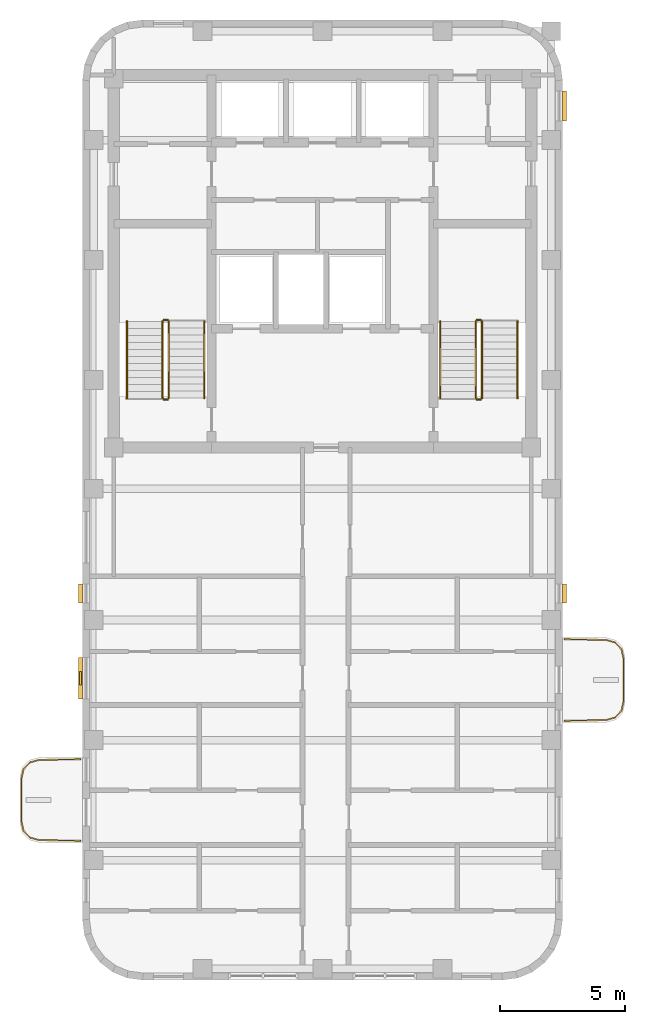
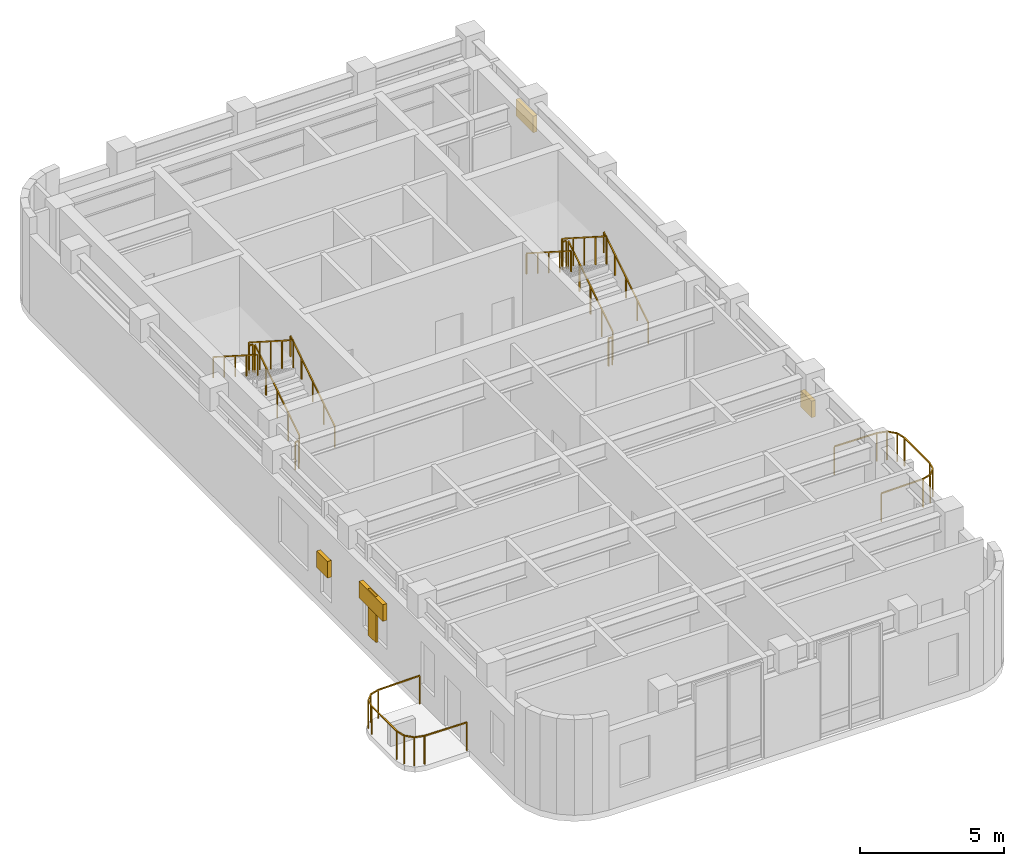
# One storey, part 6 of 6: 14 railings, 5 shading devices.
"""IFC4 building model written with IfcOpenShell, lengths in metres."""

from ifc_helpers import new_model, si_unit, direction, frame, origin, origin_2d, place, context, subcontext, project, spatial, rectangle, extrude, material, type_object, element, save


model = new_model("IFC4")

# Units and contexts
model_context = context("Model", 3, precision=1e-05, world=origin(), true_north=direction((0.0, 1.0)))
body_context = subcontext(model_context, "Body", "Model", "MODEL_VIEW")
ifc_project = project(units=[si_unit("LENGTHUNIT", "METRE"), si_unit("AREAUNIT", "SQUARE_METRE"), si_unit("VOLUMEUNIT", "CUBIC_METRE"), si_unit("PLANEANGLEUNIT", "RADIAN"), si_unit("MASSUNIT", "GRAM", prefix="KILO")], contexts=[model_context])

# Site, building, storey
site_placement = place(None, origin())
site = spatial("IfcSite", under=ifc_project, at=site_placement, CompositionType="ELEMENT")
building_placement = place(site_placement, origin())
building = spatial("IfcBuilding", under=site, at=building_placement, Name="Orvandelia Arch Residences", CompositionType="ELEMENT")
storey_placement = place(building_placement, frame((0.0, 0.0, 252.699951171875)))
storey = spatial("IfcBuildingStorey", under=building, at=storey_placement, Name="L66", CompositionType="ELEMENT", Elevation=252.699951171875)

# Railings
ifc_material_1 = material(Name="Marine-Grade Stainless Steel 316", Category="steel")
railing_type_1 = type_object("IfcRailingType", Name="GRD-BAL-1200", PredefinedType="BALUSTRADE", material=ifc_material_1)
railing_1_placement = place(storey_placement, frame((4.728271484375, 18.430419921875, 0.0)))
element("IfcRailing", 1, at=railing_1_placement, inside=storey, type_object=railing_type_1, Name="Safety Balustrade Guard GRD-L66-BAL-L66-W1-1", PredefinedType="BALUSTRADE", context=body_context, shape_type="SweptSolid", body=[
    extrude(rectangle(XDim=0.048095703125, YDim=0.048095703125, at=origin_2d()), frame((0.0, 0.0, 1.19580078125), z_axis=(-0.999834751713, -0.018178813668, 0.0), x_axis=(0.018178813668, -0.999834751713, 0.0)), (0.0, 0.0, 1.0), 1.6787109375),
    extrude(rectangle(XDim=0.048095703125, YDim=0.048095703125, at=origin_2d()), frame((-1.678466796875, -0.030517578125, 1.19580078125), z_axis=(-0.96348920644, -0.267747173792, 0.0), x_axis=(0.267747173792, -0.96348920644, 0.0)), (0.0, 0.0, 1.0), 0.36572265625),
    extrude(rectangle(XDim=0.048095703125, YDim=0.048095703125, at=origin_2d()), frame((-2.03076171875, -0.12841796875, 1.19580078125), z_axis=(-0.688627404251, -0.725115368831, 0.0), x_axis=(0.725115368831, -0.688627404251, 0.0)), (0.0, 0.0, 1.0), 0.367919921875),
    extrude(rectangle(XDim=0.048095703125, YDim=0.048095703125, at=origin_2d()), frame((-2.2841796875, -0.395263671875, 1.19580078125), z_axis=(-0.220602419982, -0.975363815352, 0.0), x_axis=(0.975363815352, -0.220602419982, 0.0)), (0.0, 0.0, 1.0), 0.373046875),
    extrude(rectangle(XDim=0.048095703125, YDim=0.048095703125, at=origin_2d()), frame((-2.366455078125, -0.759033203125, 1.19580078125), z_axis=(0.0, -1.0, 0.0), x_axis=(1.0, 0.0, 0.0)), (0.0, 0.0, 1.0), 1.74267578125),
    extrude(rectangle(XDim=0.048095703125, YDim=0.048095703125, at=origin_2d()), frame((-2.366455078125, -2.501708984375, 1.19580078125), z_axis=(0.220602419982, -0.975363815352, 0.0), x_axis=(0.975363815352, 0.220602419982, 0.0)), (0.0, 0.0, 1.0), 0.373046875),
    extrude(rectangle(XDim=0.048095703125, YDim=0.048095703125, at=origin_2d()), frame((-2.2841796875, -2.865478515625, 1.19580078125), z_axis=(0.688296224633, -0.725429739642, 0.0), x_axis=(0.725429739642, 0.688296224633, 0.0)), (0.0, 0.0, 1.0), 0.3681640625),
    extrude(rectangle(XDim=0.048095703125, YDim=0.048095703125, at=origin_2d()), frame((-2.03076171875, -3.132568359375, 1.19580078125), z_axis=(0.96348920644, -0.267747173792, 0.0), x_axis=(0.267747173792, 0.96348920644, 0.0)), (0.0, 0.0, 1.0), 0.36572265625),
    extrude(rectangle(XDim=0.048095703125, YDim=0.048095703125, at=origin_2d()), frame((-1.678466796875, -3.23046875, 1.19580078125), z_axis=(0.999837384468, -0.018033430643, 0.0), x_axis=(0.018033430643, 0.999837384468, 0.0)), (0.0, 0.0, 1.0), 1.6787109375),
    extrude(rectangle(XDim=0.0419921875, YDim=0.0419921875, at=origin_2d()), origin(), (0.0, 0.0, 1.0), 1.171875),
    extrude(rectangle(XDim=0.0419921875, YDim=0.0419921875, at=origin_2d()), frame((-1.678466796875, -0.030517578125, 0.0)), (0.0, 0.0, 1.0), 1.171875),
    extrude(rectangle(XDim=0.0419921875, YDim=0.0419921875, at=origin_2d()), frame((-2.03076171875, -0.12841796875, 0.0)), (0.0, 0.0, 1.0), 1.171875),
    extrude(rectangle(XDim=0.0419921875, YDim=0.0419921875, at=origin_2d()), frame((-2.2841796875, -0.395263671875, 0.0)), (0.0, 0.0, 1.0), 1.171875),
    extrude(rectangle(XDim=0.0419921875, YDim=0.0419921875, at=origin_2d()), frame((-2.366455078125, -0.759033203125, 0.0)), (0.0, 0.0, 1.0), 1.171875),
    extrude(rectangle(XDim=0.0419921875, YDim=0.0419921875, at=origin_2d()), frame((-2.366455078125, -2.501708984375, 0.0)), (0.0, 0.0, 1.0), 1.171875),
    extrude(rectangle(XDim=0.0419921875, YDim=0.0419921875, at=origin_2d()), frame((-2.2841796875, -2.865478515625, 0.0)), (0.0, 0.0, 1.0), 1.171875),
    extrude(rectangle(XDim=0.0419921875, YDim=0.0419921875, at=origin_2d()), frame((-2.03076171875, -3.132568359375, 0.0)), (0.0, 0.0, 1.0), 1.171875),
    extrude(rectangle(XDim=0.0419921875, YDim=0.0419921875, at=origin_2d()), frame((-1.678466796875, -3.23046875, 0.0)), (0.0, 0.0, 1.0), 1.171875),
    extrude(rectangle(XDim=0.0419921875, YDim=0.0419921875, at=origin_2d()), frame((0.0, -3.2607421875, 0.0)), (0.0, 0.0, 1.0), 1.171875),
])
railing_2_placement = place(storey_placement, frame((24.07177734375, 19.969482421875, 0.0)))
element("IfcRailing", 2, at=railing_2_placement, inside=storey, type_object=railing_type_1, Name="Safety Balustrade Guard GRD-L66-BAL-L66-W2-1", PredefinedType="BALUSTRADE", context=body_context, shape_type="SweptSolid", body=[
    extrude(rectangle(XDim=0.048095703125, YDim=0.048095703125, at=origin_2d()), frame((0.0, 0.0, 1.19580078125), z_axis=(0.999834751713, 0.018178813668, 0.0), x_axis=(-0.018178813668, 0.999834751713, 0.0)), (0.0, 0.0, 1.0), 1.6787109375),
    extrude(rectangle(XDim=0.048095703125, YDim=0.048095703125, at=origin_2d()), frame((1.678466796875, 0.030517578125, 1.19580078125), z_axis=(0.96348920644, 0.267747173792, 0.0), x_axis=(-0.267747173792, 0.96348920644, 0.0)), (0.0, 0.0, 1.0), 0.36572265625),
    extrude(rectangle(XDim=0.048095703125, YDim=0.048095703125, at=origin_2d()), frame((2.03076171875, 0.12841796875, 1.19580078125), z_axis=(0.687947031175, 0.725760898848, 0.0), x_axis=(-0.725760898848, 0.687947031175, 0.0)), (0.0, 0.0, 1.0), 0.367919921875),
    extrude(rectangle(XDim=0.048095703125, YDim=0.048095703125, at=origin_2d()), frame((2.283935546875, 0.3955078125, 1.19580078125), z_axis=(0.221225034864, 0.975222786828, 0.0), x_axis=(-0.975222786828, 0.221225034864, 0.0)), (0.0, 0.0, 1.0), 0.373046875),
    extrude(rectangle(XDim=0.048095703125, YDim=0.048095703125, at=origin_2d()), frame((2.366455078125, 0.75927734375, 1.19580078125), z_axis=(0.0, 1.0, 0.0), x_axis=(-1.0, 0.0, 0.0)), (0.0, 0.0, 1.0), 1.742431640625),
    extrude(rectangle(XDim=0.048095703125, YDim=0.048095703125, at=origin_2d()), frame((2.366455078125, 2.501708984375, 1.19580078125), z_axis=(-0.2210839158, 0.975254788337, 0.0), x_axis=(-0.975254788337, -0.2210839158, 0.0)), (0.0, 0.0, 1.0), 0.373291015625),
    extrude(rectangle(XDim=0.048095703125, YDim=0.048095703125, at=origin_2d()), frame((2.283935546875, 2.86572265625, 1.19580078125), z_axis=(-0.688278345278, 0.725446703364, 0.0), x_axis=(-0.725446703364, -0.688278345278, 0.0)), (0.0, 0.0, 1.0), 0.367919921875),
    extrude(rectangle(XDim=0.048095703125, YDim=0.048095703125, at=origin_2d()), frame((2.03076171875, 3.132568359375, 1.19580078125), z_axis=(-0.96348920644, 0.267747173792, 0.0), x_axis=(-0.267747173792, -0.96348920644, 0.0)), (0.0, 0.0, 1.0), 0.36572265625),
    extrude(rectangle(XDim=0.048095703125, YDim=0.048095703125, at=origin_2d()), frame((1.678466796875, 3.23046875, 1.19580078125), z_axis=(-0.999834751713, 0.018178813668, 0.0), x_axis=(-0.018178813668, -0.999834751713, 0.0)), (0.0, 0.0, 1.0), 1.6787109375),
    extrude(rectangle(XDim=0.0419921875, YDim=0.0419921875, at=origin_2d()), origin(), (0.0, 0.0, 1.0), 1.171875),
    extrude(rectangle(XDim=0.0419921875, YDim=0.0419921875, at=origin_2d()), frame((1.678466796875, 0.030517578125, 0.0)), (0.0, 0.0, 1.0), 1.171875),
    extrude(rectangle(XDim=0.0419921875, YDim=0.0419921875, at=origin_2d()), frame((2.03076171875, 0.12841796875, 0.0)), (0.0, 0.0, 1.0), 1.171875),
    extrude(rectangle(XDim=0.0419921875, YDim=0.0419921875, at=origin_2d()), frame((2.283935546875, 0.3955078125, 0.0)), (0.0, 0.0, 1.0), 1.171875),
    extrude(rectangle(XDim=0.0419921875, YDim=0.0419921875, at=origin_2d()), frame((2.366455078125, 0.75927734375, 0.0)), (0.0, 0.0, 1.0), 1.171875),
    extrude(rectangle(XDim=0.0419921875, YDim=0.0419921875, at=origin_2d()), frame((2.366455078125, 2.501708984375, 0.0)), (0.0, 0.0, 1.0), 1.171875),
    extrude(rectangle(XDim=0.0419921875, YDim=0.0419921875, at=origin_2d()), frame((2.283935546875, 2.86572265625, 0.0)), (0.0, 0.0, 1.0), 1.171875),
    extrude(rectangle(XDim=0.0419921875, YDim=0.0419921875, at=origin_2d()), frame((2.03076171875, 3.132568359375, 0.0)), (0.0, 0.0, 1.0), 1.171875),
    extrude(rectangle(XDim=0.0419921875, YDim=0.0419921875, at=origin_2d()), frame((1.678466796875, 3.23046875, 0.0)), (0.0, 0.0, 1.0), 1.171875),
    extrude(rectangle(XDim=0.0419921875, YDim=0.0419921875, at=origin_2d()), frame((0.0, 3.260986328125, 0.0)), (0.0, 0.0, 1.0), 1.171875),
])
ifc_material_2 = material(Name="Brushed Stainless Steel 304", Category="steel")
railing_type_2 = type_object("IfcRailingType", Name="RL-STAIR-GD1120", PredefinedType="GUARDRAIL", material=ifc_material_2)
railing_3_placement = place(storey_placement, frame((8.25, 32.8701171875, 0.17919921875)))
element("IfcRailing", 3, at=railing_3_placement, inside=storey, type_object=railing_type_2, Name="L66 ST-1 stair guard 1", PredefinedType="GUARDRAIL", context=body_context, shape_type="SweptSolid", body=[
    extrude(rectangle(XDim=0.048095703125, YDim=0.048095703125, at=origin_2d()), frame((0.0, 0.0, 1.17578125), z_axis=(0.0, 0.842289589211, 0.539025275759), x_axis=(-1.0, 0.0, 0.0)), (0.0, 0.0, 1.0), 3.656494140625),
    extrude(rectangle(XDim=0.0419921875, YDim=0.0419921875, at=origin_2d()), origin(), (0.0, 0.0, 1.0), 1.15185546875),
    extrude(rectangle(XDim=0.0419921875, YDim=0.0419921875, at=origin_2d()), frame((0.0, 0.77001953125, 0.49267578125)), (0.0, 0.0, 1.0), 1.15185546875),
    extrude(rectangle(XDim=0.0419921875, YDim=0.0419921875, at=origin_2d()), frame((0.0, 1.5400390625, 0.9853515625)), (0.0, 0.0, 1.0), 1.15185546875),
    extrude(rectangle(XDim=0.0419921875, YDim=0.0419921875, at=origin_2d()), frame((0.0, 2.309814453125, 1.478271484375)), (0.0, 0.0, 1.0), 1.15185546875),
    extrude(rectangle(XDim=0.0419921875, YDim=0.0419921875, at=origin_2d()), frame((0.0, 3.079833984375, 1.970947265625)), (0.0, 0.0, 1.0), 1.15185546875),
])
railing_4_placement = place(storey_placement, frame((8.199951171875, 36.0, 2.150146484375)))
element("IfcRailing", 4, at=railing_4_placement, inside=storey, type_object=railing_type_2, Name="L66 ST-1 stair guard 2", PredefinedType="GUARDRAIL", context=body_context, shape_type="SweptSolid", body=[
    extrude(rectangle(XDim=0.048095703125, YDim=0.048095703125, at=origin_2d()), frame((0.0, 0.0, 1.17578125), z_axis=(-1.0, 0.0, 0.0), x_axis=(0.0, -1.0, 0.0)), (0.0, 0.0, 1.0), 0.14990234375),
    extrude(rectangle(XDim=0.0419921875, YDim=0.0419921875, at=origin_2d()), origin(), (0.0, 0.0, 1.0), 1.15185546875),
    extrude(rectangle(XDim=0.0419921875, YDim=0.0419921875, at=origin_2d()), frame((-0.14990234375, 0.0, 0.0)), (0.0, 0.0, 1.0), 1.15185546875),
])
railing_5_placement = place(storey_placement, frame((8.0, 35.949951171875, 2.3291015625)))
element("IfcRailing", 5, at=railing_5_placement, inside=storey, type_object=railing_type_2, Name="L66 ST-1 stair guard 3", PredefinedType="GUARDRAIL", context=body_context, shape_type="SweptSolid", body=[
    extrude(rectangle(XDim=0.048095703125, YDim=0.048095703125, at=origin_2d()), frame((0.0, 0.0, 1.17578125), z_axis=(0.0, -0.842289589211, 0.539025275759), x_axis=(1.0, 0.0, 0.0)), (0.0, 0.0, 1.0), 3.656494140625),
    extrude(rectangle(XDim=0.0419921875, YDim=0.0419921875, at=origin_2d()), origin(), (0.0, 0.0, 1.0), 1.15185546875),
    extrude(rectangle(XDim=0.0419921875, YDim=0.0419921875, at=origin_2d()), frame((0.0, -0.77001953125, 0.49267578125)), (0.0, 0.0, 1.0), 1.15185546875),
    extrude(rectangle(XDim=0.0419921875, YDim=0.0419921875, at=origin_2d()), frame((0.0, -1.5400390625, 0.9853515625)), (0.0, 0.0, 1.0), 1.15185546875),
    extrude(rectangle(XDim=0.0419921875, YDim=0.0419921875, at=origin_2d()), frame((0.0, -2.309814453125, 1.478271484375)), (0.0, 0.0, 1.0), 1.15185546875),
    extrude(rectangle(XDim=0.0419921875, YDim=0.0419921875, at=origin_2d()), frame((0.0, -3.079833984375, 1.970947265625)), (0.0, 0.0, 1.0), 1.15185546875),
])
railing_6_placement = place(storey_placement, frame((8.199951171875, 32.820068359375, 0.0)))
element("IfcRailing", 6, at=railing_6_placement, inside=storey, type_object=railing_type_2, Name="L66 ST-1 stair guard 4", PredefinedType="GUARDRAIL", context=body_context, shape_type="SweptSolid", body=[
    extrude(rectangle(XDim=0.048095703125, YDim=0.048095703125, at=origin_2d()), frame((0.0, 0.0, 1.17578125), z_axis=(-1.0, 0.0, 0.0), x_axis=(0.0, -1.0, 0.0)), (0.0, 0.0, 1.0), 0.14990234375),
    extrude(rectangle(XDim=0.0419921875, YDim=0.0419921875, at=origin_2d()), origin(), (0.0, 0.0, 1.0), 1.15185546875),
    extrude(rectangle(XDim=0.0419921875, YDim=0.0419921875, at=origin_2d()), frame((-0.14990234375, 0.0, 0.0)), (0.0, 0.0, 1.0), 1.15185546875),
])
railing_7_placement = place(storey_placement, frame((20.780029296875, 32.8701171875, 0.17919921875)))
element("IfcRailing", 7, at=railing_7_placement, inside=storey, type_object=railing_type_2, Name="L66 ST-2 stair guard 1", PredefinedType="GUARDRAIL", context=body_context, shape_type="SweptSolid", body=[
    extrude(rectangle(XDim=0.048095703125, YDim=0.048095703125, at=origin_2d()), frame((0.0, 0.0, 1.17578125), z_axis=(0.0, 0.842289589211, 0.539025275759), x_axis=(-1.0, 0.0, 0.0)), (0.0, 0.0, 1.0), 3.656494140625),
    extrude(rectangle(XDim=0.0419921875, YDim=0.0419921875, at=origin_2d()), origin(), (0.0, 0.0, 1.0), 1.15185546875),
    extrude(rectangle(XDim=0.0419921875, YDim=0.0419921875, at=origin_2d()), frame((0.0, 0.77001953125, 0.49267578125)), (0.0, 0.0, 1.0), 1.15185546875),
    extrude(rectangle(XDim=0.0419921875, YDim=0.0419921875, at=origin_2d()), frame((0.0, 1.5400390625, 0.9853515625)), (0.0, 0.0, 1.0), 1.15185546875),
    extrude(rectangle(XDim=0.0419921875, YDim=0.0419921875, at=origin_2d()), frame((0.0, 2.309814453125, 1.478271484375)), (0.0, 0.0, 1.0), 1.15185546875),
    extrude(rectangle(XDim=0.0419921875, YDim=0.0419921875, at=origin_2d()), frame((0.0, 3.079833984375, 1.970947265625)), (0.0, 0.0, 1.0), 1.15185546875),
])
railing_8_placement = place(storey_placement, frame((20.72998046875, 36.0, 2.150146484375)))
element("IfcRailing", 8, at=railing_8_placement, inside=storey, type_object=railing_type_2, Name="L66 ST-2 stair guard 2", PredefinedType="GUARDRAIL", context=body_context, shape_type="SweptSolid", body=[
    extrude(rectangle(XDim=0.048095703125, YDim=0.048095703125, at=origin_2d()), frame((0.0, 0.0, 1.17578125), z_axis=(-1.0, 0.0, 0.0), x_axis=(0.0, -1.0, 0.0)), (0.0, 0.0, 1.0), 0.14990234375),
    extrude(rectangle(XDim=0.0419921875, YDim=0.0419921875, at=origin_2d()), origin(), (0.0, 0.0, 1.0), 1.15185546875),
    extrude(rectangle(XDim=0.0419921875, YDim=0.0419921875, at=origin_2d()), frame((-0.14990234375, 0.0, 0.0)), (0.0, 0.0, 1.0), 1.15185546875),
])
railing_9_placement = place(storey_placement, frame((20.530029296875, 35.949951171875, 2.3291015625)))
element("IfcRailing", 9, at=railing_9_placement, inside=storey, type_object=railing_type_2, Name="L66 ST-2 stair guard 3", PredefinedType="GUARDRAIL", context=body_context, shape_type="SweptSolid", body=[
    extrude(rectangle(XDim=0.048095703125, YDim=0.048095703125, at=origin_2d()), frame((0.0, 0.0, 1.17578125), z_axis=(0.0, -0.842289589211, 0.539025275759), x_axis=(1.0, 0.0, 0.0)), (0.0, 0.0, 1.0), 3.656494140625),
    extrude(rectangle(XDim=0.0419921875, YDim=0.0419921875, at=origin_2d()), origin(), (0.0, 0.0, 1.0), 1.15185546875),
    extrude(rectangle(XDim=0.0419921875, YDim=0.0419921875, at=origin_2d()), frame((0.0, -0.77001953125, 0.49267578125)), (0.0, 0.0, 1.0), 1.15185546875),
    extrude(rectangle(XDim=0.0419921875, YDim=0.0419921875, at=origin_2d()), frame((0.0, -1.5400390625, 0.9853515625)), (0.0, 0.0, 1.0), 1.15185546875),
    extrude(rectangle(XDim=0.0419921875, YDim=0.0419921875, at=origin_2d()), frame((0.0, -2.309814453125, 1.478271484375)), (0.0, 0.0, 1.0), 1.15185546875),
    extrude(rectangle(XDim=0.0419921875, YDim=0.0419921875, at=origin_2d()), frame((0.0, -3.079833984375, 1.970947265625)), (0.0, 0.0, 1.0), 1.15185546875),
])
railing_10_placement = place(storey_placement, frame((20.72998046875, 32.820068359375, 0.0)))
element("IfcRailing", 10, at=railing_10_placement, inside=storey, type_object=railing_type_2, Name="L66 ST-2 stair guard 4", PredefinedType="GUARDRAIL", context=body_context, shape_type="SweptSolid", body=[
    extrude(rectangle(XDim=0.048095703125, YDim=0.048095703125, at=origin_2d()), frame((0.0, 0.0, 1.17578125), z_axis=(-1.0, 0.0, 0.0), x_axis=(0.0, -1.0, 0.0)), (0.0, 0.0, 1.0), 0.14990234375),
    extrude(rectangle(XDim=0.0419921875, YDim=0.0419921875, at=origin_2d()), origin(), (0.0, 0.0, 1.0), 1.15185546875),
    extrude(rectangle(XDim=0.0419921875, YDim=0.0419921875, at=origin_2d()), frame((-0.14990234375, 0.0, 0.0)), (0.0, 0.0, 1.0), 1.15185546875),
])
railing_type_3 = type_object("IfcRailingType", Name="RL-STAIR-HR920", PredefinedType="HANDRAIL", material=ifc_material_2)
railing_11_placement = place(storey_placement, frame((9.669921875, 32.8701171875, 0.3583984375)))
element("IfcRailing", 11, at=railing_11_placement, inside=storey, type_object=railing_type_3, Name="L66 ST-1 stair handrail 1", PredefinedType="HANDRAIL", context=body_context, shape_type="SweptSolid", body=[
    extrude(rectangle(XDim=0.048095703125, YDim=0.048095703125, at=origin_2d()), frame((0.0, 0.0, 0.8759765625), z_axis=(0.0, 0.842319903074, 0.538977903893), x_axis=(-1.0, 0.0, 0.0)), (0.0, 0.0, 1.0), 3.65625),
    extrude(rectangle(XDim=0.0419921875, YDim=0.0419921875, at=origin_2d()), origin(), (0.0, 0.0, 1.0), 0.851806640625),
    extrude(rectangle(XDim=0.0419921875, YDim=0.0419921875, at=origin_2d()), frame((0.0, 0.77001953125, 0.49267578125)), (0.0, 0.0, 1.0), 0.851806640625),
    extrude(rectangle(XDim=0.0419921875, YDim=0.0419921875, at=origin_2d()), frame((0.0, 1.5400390625, 0.9853515625)), (0.0, 0.0, 1.0), 0.851806640625),
    extrude(rectangle(XDim=0.0419921875, YDim=0.0419921875, at=origin_2d()), frame((0.0, 2.309814453125, 1.47802734375)), (0.0, 0.0, 1.0), 0.851806640625),
    extrude(rectangle(XDim=0.0419921875, YDim=0.0419921875, at=origin_2d()), frame((0.0, 3.079833984375, 1.970703125)), (0.0, 0.0, 1.0), 0.851806640625),
])
railing_12_placement = place(storey_placement, frame((6.580078125, 35.949951171875, 2.50830078125)))
element("IfcRailing", 12, at=railing_12_placement, inside=storey, type_object=railing_type_3, Name="L66 ST-1 stair handrail 2", PredefinedType="HANDRAIL", context=body_context, shape_type="SweptSolid", body=[
    extrude(rectangle(XDim=0.048095703125, YDim=0.048095703125, at=origin_2d()), frame((0.0, 0.0, 0.8759765625), z_axis=(0.0, -0.842289589211, 0.539025275759), x_axis=(1.0, 0.0, 0.0)), (0.0, 0.0, 1.0), 3.656494140625),
    extrude(rectangle(XDim=0.0419921875, YDim=0.0419921875, at=origin_2d()), origin(), (0.0, 0.0, 1.0), 0.851806640625),
    extrude(rectangle(XDim=0.0419921875, YDim=0.0419921875, at=origin_2d()), frame((0.0, -0.77001953125, 0.49267578125)), (0.0, 0.0, 1.0), 0.851806640625),
    extrude(rectangle(XDim=0.0419921875, YDim=0.0419921875, at=origin_2d()), frame((0.0, -1.5400390625, 0.9853515625)), (0.0, 0.0, 1.0), 0.851806640625),
    extrude(rectangle(XDim=0.0419921875, YDim=0.0419921875, at=origin_2d()), frame((0.0, -2.309814453125, 1.478271484375)), (0.0, 0.0, 1.0), 0.851806640625),
    extrude(rectangle(XDim=0.0419921875, YDim=0.0419921875, at=origin_2d()), frame((0.0, -3.079833984375, 1.970947265625)), (0.0, 0.0, 1.0), 0.851806640625),
])
railing_13_placement = place(storey_placement, frame((22.199951171875, 32.8701171875, 0.3583984375)))
element("IfcRailing", 13, at=railing_13_placement, inside=storey, type_object=railing_type_3, Name="L66 ST-2 stair handrail 1", PredefinedType="HANDRAIL", context=body_context, shape_type="SweptSolid", body=[
    extrude(rectangle(XDim=0.048095703125, YDim=0.048095703125, at=origin_2d()), frame((0.0, 0.0, 0.8759765625), z_axis=(0.0, 0.842319903074, 0.538977903893), x_axis=(-1.0, 0.0, 0.0)), (0.0, 0.0, 1.0), 3.65625),
    extrude(rectangle(XDim=0.0419921875, YDim=0.0419921875, at=origin_2d()), origin(), (0.0, 0.0, 1.0), 0.851806640625),
    extrude(rectangle(XDim=0.0419921875, YDim=0.0419921875, at=origin_2d()), frame((0.0, 0.77001953125, 0.49267578125)), (0.0, 0.0, 1.0), 0.851806640625),
    extrude(rectangle(XDim=0.0419921875, YDim=0.0419921875, at=origin_2d()), frame((0.0, 1.5400390625, 0.9853515625)), (0.0, 0.0, 1.0), 0.851806640625),
    extrude(rectangle(XDim=0.0419921875, YDim=0.0419921875, at=origin_2d()), frame((0.0, 2.309814453125, 1.47802734375)), (0.0, 0.0, 1.0), 0.851806640625),
    extrude(rectangle(XDim=0.0419921875, YDim=0.0419921875, at=origin_2d()), frame((0.0, 3.079833984375, 1.970703125)), (0.0, 0.0, 1.0), 0.851806640625),
])
railing_14_placement = place(storey_placement, frame((19.110107421875, 35.949951171875, 2.50830078125)))
element("IfcRailing", 14, at=railing_14_placement, inside=storey, type_object=railing_type_3, Name="L66 ST-2 stair handrail 2", PredefinedType="HANDRAIL", context=body_context, shape_type="SweptSolid", body=[
    extrude(rectangle(XDim=0.048095703125, YDim=0.048095703125, at=origin_2d()), frame((0.0, 0.0, 0.8759765625), z_axis=(0.0, -0.842289589211, 0.539025275759), x_axis=(1.0, 0.0, 0.0)), (0.0, 0.0, 1.0), 3.656494140625),
    extrude(rectangle(XDim=0.0419921875, YDim=0.0419921875, at=origin_2d()), origin(), (0.0, 0.0, 1.0), 0.851806640625),
    extrude(rectangle(XDim=0.0419921875, YDim=0.0419921875, at=origin_2d()), frame((0.0, -0.77001953125, 0.49267578125)), (0.0, 0.0, 1.0), 0.851806640625),
    extrude(rectangle(XDim=0.0419921875, YDim=0.0419921875, at=origin_2d()), frame((0.0, -1.5400390625, 0.9853515625)), (0.0, 0.0, 1.0), 0.851806640625),
    extrude(rectangle(XDim=0.0419921875, YDim=0.0419921875, at=origin_2d()), frame((0.0, -2.309814453125, 1.478271484375)), (0.0, 0.0, 1.0), 0.851806640625),
    extrude(rectangle(XDim=0.0419921875, YDim=0.0419921875, at=origin_2d()), frame((0.0, -3.079833984375, 1.970947265625)), (0.0, 0.0, 1.0), 0.851806640625),
])

# Shading devices
ifc_material_3 = material(Name="Anodised Champagne-Bronze Extruded Aluminium", Category="aluminium")
shading_device_type_1 = type_object("IfcShadingDeviceType", Name="SHD-JALOUSIE-SCREEN", PredefinedType="JALOUSIE", material=ifc_material_3)
shading_device_1_placement = place(storey_placement, frame((24.080078125, 44.5673828125, 1.89990234375), z_axis=(0.0, 0.0, 1.0), x_axis=(0.0, -1.0, 0.0)))
element("IfcShadingDevice", 15, at=shading_device_1_placement, inside=storey, type_object=shading_device_type_1, Name="Bronze Jalousie Sun-Shade L66-001", PredefinedType="JALOUSIE", context=body_context, shape_type="SweptSolid", body=[
    extrude(rectangle(XDim=1.199951171875, YDim=0.159912109375, at=origin_2d()), origin(), (0.0, 0.0, 1.0), 0.699951171875),
])
shading_device_2_placement = place(storey_placement, frame((24.080078125, 25.0576171875, 1.55029296875), z_axis=(0.0, 0.0, 1.0), x_axis=(0.0, -1.0, 0.0)))
element("IfcShadingDevice", 16, at=shading_device_2_placement, inside=storey, type_object=shading_device_type_1, Name="Bronze Jalousie Sun-Shade L66-002", PredefinedType="JALOUSIE", context=body_context, shape_type="SweptSolid", body=[
    extrude(rectangle(XDim=0.75, YDim=0.159912109375, at=origin_2d()), origin(), (0.0, 0.0, 1.0), 0.699951171875),
])
shading_device_3_placement = place(storey_placement, frame((4.719970703125, 21.669921875, 2.05029296875), z_axis=(0.0, 0.0, 1.0), x_axis=(0.0, 1.0, 0.0)))
element("IfcShadingDevice", 17, at=shading_device_3_placement, inside=storey, type_object=shading_device_type_1, Name="Bronze Jalousie Sun-Shade L66-003", PredefinedType="JALOUSIE", context=body_context, shape_type="SweptSolid", body=[
    extrude(rectangle(XDim=1.64990234375, YDim=0.159912109375, at=origin_2d()), origin(), (0.0, 0.0, 1.0), 0.699951171875),
])
shading_device_4_placement = place(storey_placement, frame((4.719970703125, 25.0576171875, 1.55029296875), z_axis=(0.0, 0.0, 1.0), x_axis=(0.0, 1.0, 0.0)))
element("IfcShadingDevice", 18, at=shading_device_4_placement, inside=storey, type_object=shading_device_type_1, Name="Bronze Jalousie Sun-Shade L66-004", PredefinedType="JALOUSIE", context=body_context, shape_type="SweptSolid", body=[
    extrude(rectangle(XDim=0.75, YDim=0.159912109375, at=origin_2d()), origin(), (0.0, 0.0, 1.0), 0.699951171875),
])
ifc_material_4 = material(Name="Marine-Grade Perforated Aluminium Storm Shutter", Category="aluminium")
shading_device_type_2 = type_object("IfcShadingDeviceType", Name="SHD-STORM-SHUTTER", PredefinedType="SHUTTER", material=ifc_material_4)
shading_device_5_placement = place(storey_placement, frame((4.719970703125, 21.669921875, 0.80029296875), z_axis=(0.0, 0.0, 1.0), x_axis=(0.0, 1.0, 0.0)))
element("IfcShadingDevice", 19, at=shading_device_5_placement, inside=storey, type_object=shading_device_type_2, Name="Operable Typhoon Storm Shutter L66-003", PredefinedType="SHUTTER", context=body_context, shape_type="SweptSolid", body=[
    extrude(rectangle(XDim=0.550048828125, YDim=0.080078125, at=origin_2d()), origin(), (0.0, 0.0, 1.0), 1.949951171875),
])

save(model, "model.ifc")
